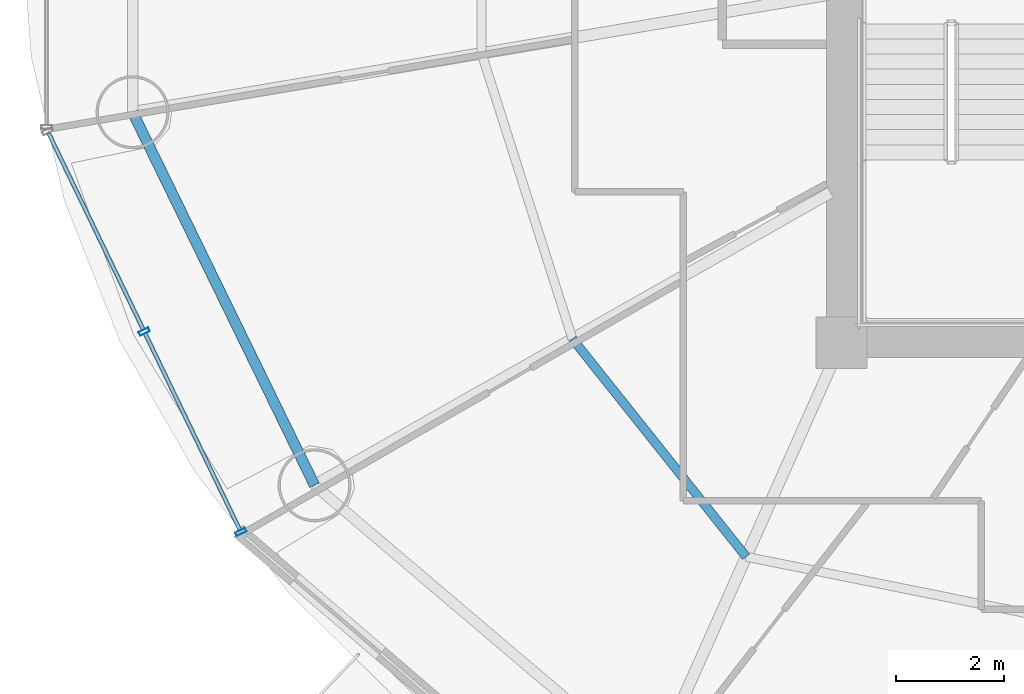
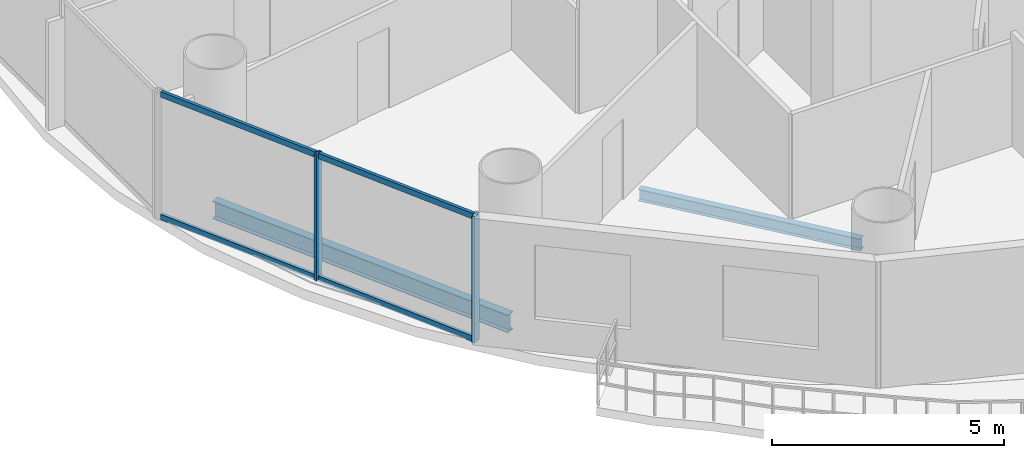
# One storey, part 2 of 26: 6 members, 2 beams, 1 element without a shape of its own.
"""IFC4 building model written with IfcOpenShell, lengths in metres."""

from ifc_helpers import new_model, si_unit, direction, frame, origin, origin_2d, place, context, subcontext, project, spatial, hollow_rectangle, i_section, extrude, source, transform, mapped, material, material_profile, profile_set, type_object, element, aggregate, save


model = new_model("IFC4")

# Units and contexts
model_context = context("Model", 3, precision=1e-05, world=origin(), true_north=direction((-0.2419218956, 0.970295726276)))
body_context = subcontext(model_context, "Body", "Model", "MODEL_VIEW")
ifc_project = project(units=[si_unit("LENGTHUNIT", "METRE"), si_unit("AREAUNIT", "SQUARE_METRE"), si_unit("VOLUMEUNIT", "CUBIC_METRE"), si_unit("PLANEANGLEUNIT", "RADIAN"), si_unit("MASSUNIT", "GRAM", prefix="KILO")], contexts=[model_context])

# Site, building, storey
site_placement = place(None, origin())
site = spatial("IfcSite", under=ifc_project, at=site_placement, CompositionType="ELEMENT")
building_placement = place(site_placement, origin())
building = spatial("IfcBuilding", under=site, at=building_placement, Name="Cobrevalo Terracotta Tower", CompositionType="ELEMENT")
storey_placement = place(building_placement, frame((0.0, 0.0, 167.800048828125)))
storey = spatial("IfcBuildingStorey", under=building, at=storey_placement, Name="L44", CompositionType="ELEMENT", Elevation=167.800048828125)

# Beams
ifc_material_1 = material(Name="Steel S355", Category="steel")
ifc_material_profile_1 = material_profile(ifc_material_1, i_section(OverallWidth=0.1650390625, OverallDepth=0.31005859375, WebThickness=0.005859375, FlangeThickness=0.009765625, at=origin_2d()), Name="W 310x38.7")
ifc_profile_set_1 = profile_set([ifc_material_profile_1], Name="Steel S355")
beam_type_1 = type_object("IfcBeamType", Name="Structural Joist W 310x38.7 (Steel S355)", PredefinedType="JOIST", material=ifc_profile_set_1)
beam_1_placement = place(storey_placement, frame((24.022705078125, 18.868896484375, -0.425048828125), z_axis=(0.623382939397, -0.781916690492, 0.0), x_axis=(0.781916690492, 0.623382939397, 0.0)))
element("IfcBeam", 1, at=beam_1_placement, inside=storey, type_object=beam_type_1, Name="L44 circumferential secondary floor joist 10", PredefinedType="JOIST", context=body_context, shape_type="SweptSolid", body=[
    extrude(i_section(OverallWidth=0.1650390625, OverallDepth=0.31005859375, WebThickness=0.005859375, FlangeThickness=0.009765625, at=origin_2d()), origin(), (0.0, 0.0, 1.0), 5.154296875),
])
ifc_material_profile_2 = material_profile(ifc_material_1, i_section(OverallWidth=0.194091796875, OverallDepth=0.468994140625, WebThickness=0.011474609375, FlangeThickness=0.0205078125, at=origin_2d()), Name="W 460x106")
ifc_profile_set_2 = profile_set([ifc_material_profile_2], Name="Steel S355")
beam_type_2 = type_object("IfcBeamType", Name="Structural Spandrel W 460x106 (Steel S355)", PredefinedType="SPANDREL", material=ifc_profile_set_2)
beam_2_placement = place(storey_placement, frame((15.88330078125, 23.06396484375, -0.504638671875), z_axis=(0.438380418332, -0.898789524206, 0.0), x_axis=(0.898789524206, 0.438380418332, 0.0)))
element("IfcBeam", 2, at=beam_2_placement, inside=storey, type_object=beam_type_2, Name="L44 perimeter ring spandrel 09", PredefinedType="SPANDREL", context=body_context, shape_type="SweptSolid", body=[
    extrude(i_section(OverallWidth=0.194091796875, OverallDepth=0.468994140625, WebThickness=0.011474609375, FlangeThickness=0.0205078125, at=origin_2d()), origin(), (0.0, 0.0, 1.0), 7.680419921875),
])

# Curtain wall, members
ifc_material_2 = material(Name="Anodized aluminium", Category="aluminium")
curtain_wall_type = type_object("IfcCurtainWallType", Name="Mid-tower high-wind unitised curtain wall CW-U2", PredefinedType="NOTDEFINED", material=ifc_material_2)
curtain_wall_placement = place(storey_placement, origin())
curtain_wall = element("IfcCurtainWall", 3, at=curtain_wall_placement, inside=storey, type_object=curtain_wall_type, Name="L44 curtain wall CW-L44-S09", PredefinedType="NOTDEFINED")
ifc_material_profile_3 = material_profile(ifc_material_2, hollow_rectangle(XDim=0.074951171875, YDim=0.14990234375, WallThickness=0.00439453125, at=origin_2d()), Name="CWT 75x150")
ifc_profile_set_3 = profile_set([ifc_material_profile_3], Name="Anodized aluminium")
member_type_1 = type_object("IfcMemberType", Name="Tower unitised aluminium transom 75x150", PredefinedType="USERDEFINED", material=ifc_profile_set_3)
shared_shape_1 = source(origin(), body_context, "Body", "SweptSolid", [
    extrude(hollow_rectangle(XDim=0.074951171875, YDim=0.14990234375, WallThickness=0.00439453125, at=origin_2d()), origin(), (0.0, 0.0, 1.0), 4.035888671875),
])
member_1_placement = place(storey_placement, frame((14.3291015625, 22.676025390625, 0.050048828125), z_axis=(0.434221176581, -0.900806288726, 0.0), x_axis=(0.900806288726, 0.434221176581, 0.0)))
member_1 = element("IfcMember", 4, at=member_1_placement, type_object=member_type_1, Name="CW-L44-S09 transom B01-T1", ObjectType="TRANSOM", PredefinedType="USERDEFINED", context=body_context, shape_type="MappedRepresentation", body=[
    mapped(shared_shape_1, transform((0.0, 0.0, 0.0), scale=1.0)),
])
member_2_placement = place(storey_placement, frame((14.3291015625, 22.676025390625, 3.280029296875), z_axis=(0.434221176581, -0.900806288726, 0.0), x_axis=(0.900806288726, 0.434221176581, 0.0)))
member_2 = element("IfcMember", 5, at=member_2_placement, type_object=member_type_1, Name="CW-L44-S09 transom B01-T2", ObjectType="TRANSOM", PredefinedType="USERDEFINED", context=body_context, shape_type="MappedRepresentation", body=[
    mapped(shared_shape_1, transform((0.0, 0.0, 0.0), scale=1.0)),
])
member_3_placement = place(storey_placement, frame((16.1162109375, 18.96826171875, 0.050048828125), z_axis=(0.434221176581, -0.900806288726, 0.0), x_axis=(0.900806288726, 0.434221176581, 0.0)))
member_3 = element("IfcMember", 6, at=member_3_placement, type_object=member_type_1, Name="CW-L44-S09 transom B02-T1", ObjectType="TRANSOM", PredefinedType="USERDEFINED", context=body_context, shape_type="MappedRepresentation", body=[
    mapped(shared_shape_1, transform((0.0, 0.0, 0.0), scale=1.0)),
])
member_4_placement = place(storey_placement, frame((16.1162109375, 18.96826171875, 3.280029296875), z_axis=(0.434221176581, -0.900806288726, 0.0), x_axis=(0.900806288726, 0.434221176581, 0.0)))
member_4 = element("IfcMember", 7, at=member_4_placement, type_object=member_type_1, Name="CW-L44-S09 transom B02-T2", ObjectType="TRANSOM", PredefinedType="USERDEFINED", context=body_context, shape_type="MappedRepresentation", body=[
    mapped(shared_shape_1, transform((0.0, 0.0, 0.0), scale=1.0)),
])
ifc_material_profile_4 = material_profile(ifc_material_2, hollow_rectangle(XDim=0.074951171875, YDim=0.199951171875, WallThickness=0.0048828125, at=origin_2d()), Name="CWM 75x200")
ifc_profile_set_4 = profile_set([ifc_material_profile_4], Name="Anodized aluminium")
member_type_2 = type_object("IfcMemberType", Name="Lower/mid tower unitised mullion 75x200", PredefinedType="MULLION", material=ifc_profile_set_4)
shared_shape_2 = source(origin(), body_context, "Body", "SweptSolid", [
    extrude(hollow_rectangle(XDim=0.074951171875, YDim=0.199951171875, WallThickness=0.0048828125, at=origin_2d()), origin(), (0.0, 0.0, 1.0), 3.329833984375),
])
member_5_placement = place(storey_placement, frame((16.098876953125, 19.00439453125, 0.0), z_axis=(0.0, 0.0, 1.0), x_axis=(0.434209440271, -0.900811945957, 0.0)))
member_5 = element("IfcMember", 8, at=member_5_placement, type_object=member_type_2, Name="CW-L44-S09 vertical mullion 02", PredefinedType="MULLION", context=body_context, shape_type="MappedRepresentation", body=[
    mapped(shared_shape_2, transform((0.0, 0.0, 0.0), scale=1.0)),
])
member_6_placement = place(storey_placement, frame((17.885986328125, 15.296875, 0.0), z_axis=(0.0, 0.0, 1.0), x_axis=(0.434209440271, -0.900811945957, 0.0)))
member_6 = element("IfcMember", 9, at=member_6_placement, type_object=member_type_2, Name="CW-L44-S09 vertical mullion 03", PredefinedType="MULLION", context=body_context, shape_type="MappedRepresentation", body=[
    mapped(shared_shape_2, transform((0.0, 0.0, 0.0), scale=1.0)),
])
aggregate(curtain_wall, [member_5, member_6, member_1, member_2, member_3, member_4])

save(model, "model.ifc")
